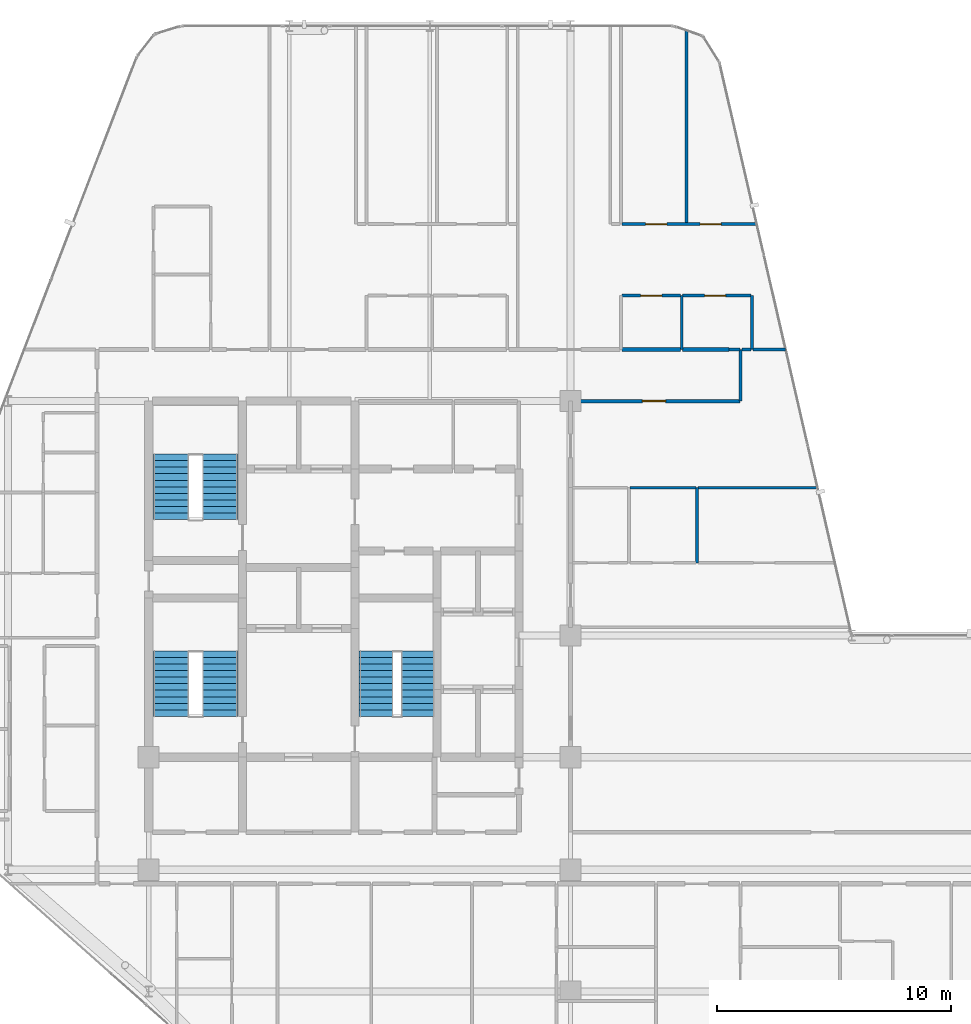
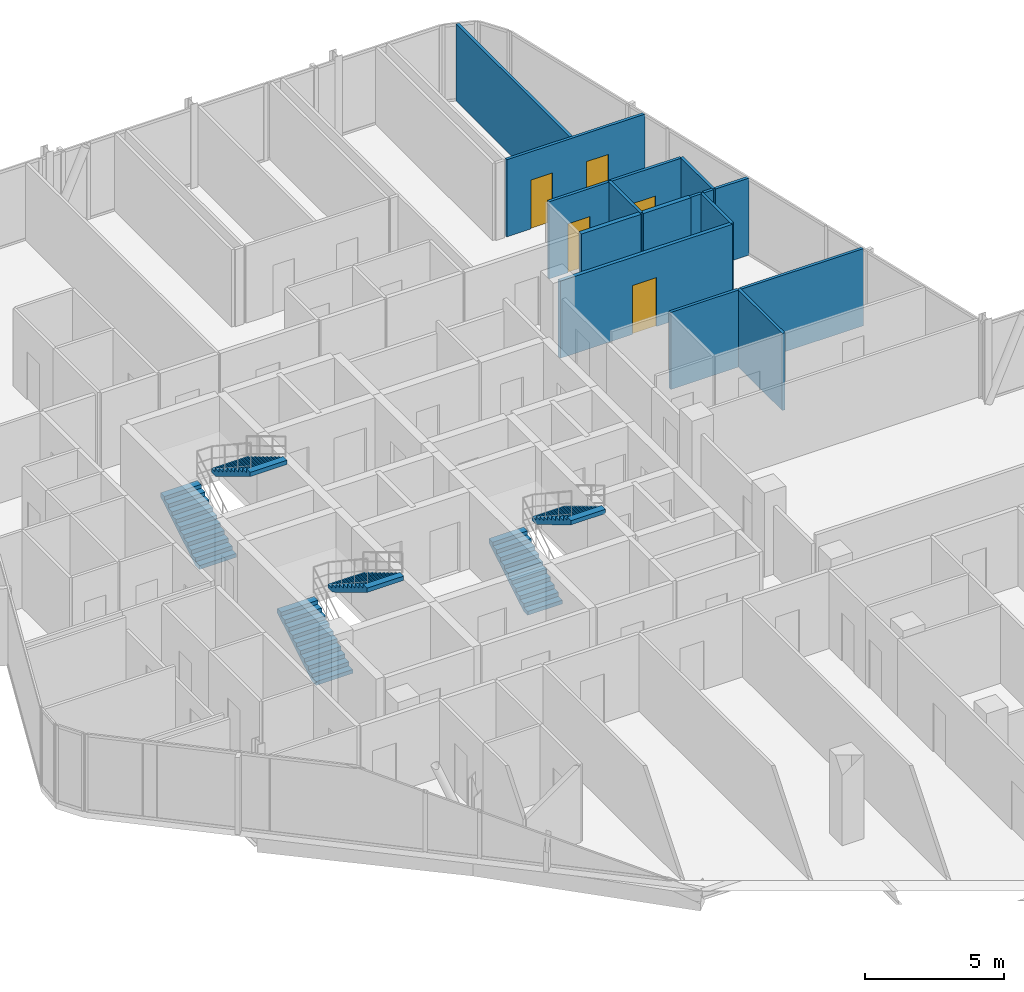
# One storey, part 28 of 29: 16 walls, 6 stair flights, 5 doors, 5 openings, 3 elements without a shape of their own.
"""IFC4 building model written with IfcOpenShell, lengths in metres."""

from ifc_helpers import new_model, si_unit, direction, frame, frame_2d, origin, place, context, subcontext, project, spatial, polyline, rectangle, outline, extrude, material, layer, layer_set, type_object, element, fill, aggregate, save


model = new_model("IFC4")

# Units and contexts
model_context = context("Model", 3, precision=1e-05, world=origin(), true_north=direction((0.0, 1.0)))
body_context = subcontext(model_context, "Body", "Model", "MODEL_VIEW")
ifc_project = project(units=[si_unit("LENGTHUNIT", "METRE"), si_unit("AREAUNIT", "SQUARE_METRE"), si_unit("VOLUMEUNIT", "CUBIC_METRE"), si_unit("PLANEANGLEUNIT", "RADIAN"), si_unit("MASSUNIT", "GRAM", prefix="KILO")], contexts=[model_context])

# Site, building, storey
site_placement = place(None, origin())
site = spatial("IfcSite", under=ifc_project, at=site_placement, CompositionType="ELEMENT")
building_placement = place(site_placement, origin())
building = spatial("IfcBuilding", under=site, at=building_placement, Name="Keshet Zoharim Tower", CompositionType="ELEMENT")
storey_placement = place(building_placement, frame((0.0, 0.0, 195.800048828125)))
storey = spatial("IfcBuildingStorey", under=building, at=storey_placement, Name="L48", CompositionType="ELEMENT", Elevation=195.800048828125)

# Wall, opening, door
ifc_material_1 = material(Name="Gypsum Plasterboard", Category="gypsum")
ifc_layer_1 = layer(ifc_material_1, 0.14990234375)
ifc_layer_set_1 = layer_set([ifc_layer_1], Name="Gypsum Plasterboard")
wall_type_1 = type_object("IfcWallType", Name="WL-CLIN-150", PredefinedType="STANDARD", material=ifc_layer_set_1)
wall_1_placement = place(storey_placement, frame((33.06005859375, 37.89990234375, 0.0), z_axis=(0.0, 0.0, 1.0), x_axis=(1.0, 0.0, 0.0)))
wall_1 = element("IfcWall", 1, at=wall_1_placement, inside=storey, type_object=wall_type_1, Name="L48 Interior Wall 181", PredefinedType="STANDARD", context=body_context, shape_type="SweptSolid", body=[
    extrude(rectangle(XDim=7.1640625, YDim=0.14990234375, at=frame_2d((3.58203125, 0.0))), origin(), (0.0, 0.0, 1.0), 3.389892578125),
])
opening_1_placement = place(wall_1_placement, frame((3.00390625, 0.0, 0.0)))
opening_1 = element("IfcOpeningElement", 2, at=opening_1_placement, cuts=wall_1, Name="Opening D-F310", PredefinedType="OPENING", context=body_context, shape_type="SweptSolid", body=[
    extrude(rectangle(XDim=1.0, YDim=2.14990234375, at=frame_2d((0.5, 1.074951171875))), frame((0.0, 0.0849609375, 0.0), z_axis=(0.0, -1.0, 0.0), x_axis=(1.0, 0.0, 0.0)), (0.0, 0.0, 1.0), 0.169921875),
])
ifc_material_2 = material(Name="Hardwood Timber", Category="wood")
door_type_1 = type_object("IfcDoorType", Name="DR-FD30-100", OperationType="NOTDEFINED", PredefinedType="DOOR", material=ifc_material_2)
door_1_placement = place(opening_1_placement, origin())
door_1 = element("IfcDoor", 3, at=door_1_placement, inside=storey, type_object=door_type_1, Name="L48 North West Residents Services Suite Door 1", OperationType="SINGLE_SWING_RIGHT", OverallHeight=2.14990234375, OverallWidth=1.0, PredefinedType="DOOR", context=body_context, shape_type="SweptSolid", body=[
    extrude(rectangle(XDim=1.0, YDim=2.14990234375, at=frame_2d((0.5, 1.074951171875))), frame((0.0, 0.02490234375, 0.0), z_axis=(0.0, -1.0, 0.0), x_axis=(1.0, 0.0, 0.0)), (0.0, 0.0, 1.0), 0.050048828125),
])
fill(opening_1, door_1)

# Walls
ifc_layer_2 = layer(ifc_material_1, 0.179931640625)
ifc_layer_set_2 = layer_set([ifc_layer_2], Name="Gypsum Plasterboard")
wall_type_2 = type_object("IfcWallType", Name="WL-CORR-180", PredefinedType="STANDARD", material=ifc_layer_set_2)
wall_2_placement = place(storey_placement, frame((35.205078125, 40.10009765625, 0.0), z_axis=(0.0, 0.0, 1.0), x_axis=(1.0, 0.0, 0.0)))
element("IfcWall", 4, at=wall_2_placement, inside=storey, type_object=wall_type_2, Name="L48 Interior Wall 190", PredefinedType="STANDARD", context=body_context, shape_type="SweptSolid", body=[
    extrude(rectangle(XDim=2.48193359375, YDim=0.179931640625, at=frame_2d((1.240966796875, 0.0))), origin(), (0.0, 0.0, 1.0), 3.389892578125),
])
wall_3_placement = place(storey_placement, frame((37.777099609375, 40.10009765625, 0.0), z_axis=(0.0, 0.0, 1.0), x_axis=(1.0, 0.0, 0.0)))
element("IfcWall", 5, at=wall_3_placement, inside=storey, type_object=wall_type_2, Name="L48 Interior Wall 191", PredefinedType="STANDARD", context=body_context, shape_type="SweptSolid", body=[
    extrude(rectangle(XDim=1.98583984375, YDim=0.179931640625, at=frame_2d((0.992919921875, 0.0))), origin(), (0.0, 0.0, 1.0), 3.389892578125),
])
ifc_layer_3 = layer(ifc_material_1, 0.1201171875)
ifc_layer_set_3 = layer_set([ifc_layer_3], Name="Gypsum Plasterboard")
wall_type_3 = type_object("IfcWallType", Name="WL-PART-120", PredefinedType="PARTITIONING", material=ifc_layer_set_3)
wall_4_placement = place(storey_placement, frame((37.949951171875, 45.449951171875, 0.0), z_axis=(0.0, 0.0, 1.0), x_axis=(0.0, 1.0, 0.0)))
element("IfcWall", 6, at=wall_4_placement, inside=storey, type_object=wall_type_3, Name="L48 Interior Wall 085", PredefinedType="PARTITIONING", context=body_context, shape_type="SweptSolid", body=[
    extrude(rectangle(XDim=8.2509765625, YDim=0.1201171875, at=frame_2d((4.12548828125, 0.0))), origin(), (0.0, 0.0, 1.0), 3.389892578125),
])
wall_5_placement = place(storey_placement, frame((40.25, 37.89990234375, 0.0), z_axis=(0.0, 0.0, 1.0), x_axis=(0.0, 1.0, 0.0)))
element("IfcWall", 7, at=wall_5_placement, inside=storey, type_object=wall_type_3, Name="L48 Interior Wall 090", PredefinedType="PARTITIONING", context=body_context, shape_type="SweptSolid", body=[
    extrude(rectangle(XDim=2.2001953125, YDim=0.1201171875, at=frame_2d((1.10009765625, 0.0))), origin(), (0.0, 0.0, 1.0), 3.389892578125),
])
wall_6_placement = place(storey_placement, frame((38.445068359375, 34.199951171875, 0.0), z_axis=(0.0, 0.0, 1.0), x_axis=(1.0, 0.0, 0.0)))
element("IfcWall", 8, at=wall_6_placement, inside=storey, type_object=wall_type_3, Name="L48 Interior Wall 171", PredefinedType="PARTITIONING", context=body_context, shape_type="SweptSolid", body=[
    extrude(rectangle(XDim=5.0908203125, YDim=0.1201171875, at=frame_2d((2.54541015625, 0.0))), origin(), (0.0, 0.0, 1.0), 3.389892578125),
])
wall_7_placement = place(storey_placement, frame((40.797119140625, 40.10009765625, 0.0), z_axis=(0.0, 0.0, 1.0), x_axis=(1.0, 0.0, 0.0)))
element("IfcWall", 9, at=wall_7_placement, inside=storey, type_object=wall_type_3, Name="L48 Interior Wall 194", PredefinedType="PARTITIONING", context=body_context, shape_type="SweptSolid", body=[
    extrude(rectangle(XDim=1.3779296875, YDim=0.1201171875, at=frame_2d((0.68896484375, 0.0))), origin(), (0.0, 0.0, 1.0), 3.389892578125),
])

# Wall, opening, door
wall_8_placement = place(storey_placement, frame((35.205078125, 42.39990234375, 0.0), z_axis=(0.0, 0.0, 1.0), x_axis=(1.0, 0.0, 0.0)))
wall_8 = element("IfcWall", 10, at=wall_8_placement, inside=storey, type_object=wall_type_3, Name="L48 Interior Wall 197", PredefinedType="PARTITIONING", context=body_context, shape_type="SweptSolid", body=[
    extrude(rectangle(XDim=2.48193359375, YDim=0.1201171875, at=frame_2d((1.240966796875, 0.0))), origin(), (0.0, 0.0, 1.0), 3.389892578125),
])
opening_2_placement = place(wall_8_placement, frame((0.791015625, 0.0, 0.0)))
opening_2 = element("IfcOpeningElement", 11, at=opening_2_placement, cuts=wall_8, Name="Opening D-IN90", PredefinedType="OPENING", context=body_context, shape_type="SweptSolid", body=[
    extrude(rectangle(XDim=0.89990234375, YDim=2.14990234375, at=frame_2d((0.449951171875, 1.074951171875))), frame((0.0, 0.070068359375, 0.0), z_axis=(0.0, -1.0, 0.0), x_axis=(1.0, 0.0, 0.0)), (0.0, 0.0, 1.0), 0.14013671875),
])
door_type_2 = type_object("IfcDoorType", Name="DR-INT-090", OperationType="NOTDEFINED", PredefinedType="DOOR", material=ifc_material_2)
door_2_placement = place(opening_2_placement, origin())
door_2 = element("IfcDoor", 12, at=door_2_placement, inside=storey, type_object=door_type_2, Name="Apartment 4807 Kitchen Door", OperationType="SINGLE_SWING_RIGHT", OverallHeight=2.14990234375, OverallWidth=0.89990234375, PredefinedType="DOOR", context=body_context, shape_type="SweptSolid", body=[
    extrude(rectangle(XDim=0.89990234375, YDim=2.14990234375, at=frame_2d((0.449951171875, 1.074951171875))), frame((0.0, 0.02490234375, 0.0), z_axis=(0.0, -1.0, 0.0), x_axis=(1.0, 0.0, 0.0)), (0.0, 0.0, 1.0), 0.050048828125),
])
fill(opening_2, door_2)

# Wall, openings, doors
wall_9_placement = place(storey_placement, frame((35.205078125, 45.449951171875, 0.0), z_axis=(0.0, 0.0, 1.0), x_axis=(1.0, 0.0, 0.0)))
wall_9 = element("IfcWall", 13, at=wall_9_placement, inside=storey, type_object=wall_type_3, Name="L48 Interior Wall 204", PredefinedType="PARTITIONING", context=body_context, shape_type="SweptSolid", body=[
    extrude(rectangle(XDim=5.73486328125, YDim=0.1201171875, at=frame_2d((2.867431640625, 0.0))), origin(), (0.0, 0.0, 1.0), 3.389892578125),
])
opening_3_placement = place(wall_9_placement, frame((1.00390625, 0.0, 0.0)))
opening_3 = element("IfcOpeningElement", 14, at=opening_3_placement, cuts=wall_9, Name="Opening D-IN90", PredefinedType="OPENING", context=body_context, shape_type="SweptSolid", body=[
    extrude(rectangle(XDim=0.89990234375, YDim=2.14990234375, at=frame_2d((0.449951171875, 1.074951171875))), frame((0.0, 0.070068359375, 0.0), z_axis=(0.0, -1.0, 0.0), x_axis=(1.0, 0.0, 0.0)), (0.0, 0.0, 1.0), 0.14013671875),
])
opening_4_placement = place(wall_9_placement, frame((3.321044921875, 0.0, 0.0)))
opening_4 = element("IfcOpeningElement", 15, at=opening_4_placement, cuts=wall_9, Name="Opening D-IN90", PredefinedType="OPENING", context=body_context, shape_type="SweptSolid", body=[
    extrude(rectangle(XDim=0.89990234375, YDim=2.14990234375, at=frame_2d((0.449951171875, 1.074951171875))), frame((0.0, 0.070068359375, 0.0), z_axis=(0.0, -1.0, 0.0), x_axis=(1.0, 0.0, 0.0)), (0.0, 0.0, 1.0), 0.14013671875),
])
door_3_placement = place(opening_3_placement, origin())
door_3 = element("IfcDoor", 16, at=door_3_placement, inside=storey, type_object=door_type_2, Name="Apartment 4807 Bedroom 1 Door", OperationType="SINGLE_SWING_RIGHT", OverallHeight=2.14990234375, OverallWidth=0.89990234375, PredefinedType="DOOR", context=body_context, shape_type="SweptSolid", body=[
    extrude(rectangle(XDim=0.89990234375, YDim=2.14990234375, at=frame_2d((0.449951171875, 1.074951171875))), frame((0.0, 0.02490234375, 0.0), z_axis=(0.0, -1.0, 0.0), x_axis=(1.0, 0.0, 0.0)), (0.0, 0.0, 1.0), 0.050048828125),
])
fill(opening_3, door_3)
door_4_placement = place(opening_4_placement, origin())
door_4 = element("IfcDoor", 17, at=door_4_placement, inside=storey, type_object=door_type_2, Name="Apartment 4807 Bedroom 2 Door", OperationType="SINGLE_SWING_LEFT", OverallHeight=2.14990234375, OverallWidth=0.89990234375, PredefinedType="DOOR", context=body_context, shape_type="SweptSolid", body=[
    extrude(rectangle(XDim=0.89990234375, YDim=2.14990234375, at=frame_2d((0.449951171875, 1.074951171875))), frame((0.0, 0.02490234375, 0.0), z_axis=(0.0, -1.0, 0.0), x_axis=(1.0, 0.0, 0.0)), (0.0, 0.0, 1.0), 0.050048828125),
])
fill(opening_4, door_4)

# Walls
ifc_layer_4 = layer(ifc_material_1, 0.1201171875)
ifc_layer_set_4 = layer_set([ifc_layer_4], Name="Gypsum Plasterboard")
wall_type_4 = type_object("IfcWallType", Name="WL-WET-120", PredefinedType="PARTITIONING", material=ifc_layer_set_4)
wall_10_placement = place(storey_placement, frame((37.75, 40.10009765625, 0.0), z_axis=(0.0, 0.0, 1.0), x_axis=(0.0, 1.0, 0.0)))
element("IfcWall", 18, at=wall_10_placement, inside=storey, type_object=wall_type_4, Name="L48 Interior Wall 084", PredefinedType="PARTITIONING", context=body_context, shape_type="SweptSolid", body=[
    extrude(rectangle(XDim=2.2998046875, YDim=0.1201171875, at=frame_2d((1.14990234375, 0.0))), origin(), (0.0, 0.0, 1.0), 3.389892578125),
])
wall_11_placement = place(storey_placement, frame((38.39990234375, 30.989990234375, 0.0), z_axis=(0.0, 0.0, 1.0), x_axis=(0.0, 1.0, 0.0)))
element("IfcWall", 19, at=wall_11_placement, inside=storey, type_object=wall_type_4, Name="L48 Interior Wall 086", PredefinedType="PARTITIONING", context=body_context, shape_type="SweptSolid", body=[
    extrude(rectangle(XDim=3.22998046875, YDim=0.1201171875, at=frame_2d((1.614990234375, 0.0))), origin(), (0.0, 0.0, 1.0), 3.389892578125),
])
wall_12_placement = place(storey_placement, frame((40.75, 40.10009765625, 0.0), z_axis=(0.0, 0.0, 1.0), x_axis=(0.0, 1.0, 0.0)))
element("IfcWall", 20, at=wall_12_placement, inside=storey, type_object=wall_type_4, Name="L48 Interior Wall 091", PredefinedType="PARTITIONING", context=body_context, shape_type="SweptSolid", body=[
    extrude(rectangle(XDim=2.2998046875, YDim=0.1201171875, at=frame_2d((1.14990234375, 0.0))), origin(), (0.0, 0.0, 1.0), 3.389892578125),
])
wall_13_placement = place(storey_placement, frame((35.529052734375, 34.199951171875, 0.0), z_axis=(0.0, 0.0, 1.0), x_axis=(1.0, 0.0, 0.0)))
element("IfcWall", 21, at=wall_13_placement, inside=storey, type_object=wall_type_4, Name="L48 Interior Wall 170", PredefinedType="PARTITIONING", context=body_context, shape_type="SweptSolid", body=[
    extrude(rectangle(XDim=2.825927734375, YDim=0.1201171875, at=frame_2d((1.4130859375, 0.0))), origin(), (0.0, 0.0, 1.0), 3.389892578125),
])
wall_14_placement = place(storey_placement, frame((39.762939453125, 40.10009765625, 0.0), z_axis=(0.0, 0.0, 1.0), x_axis=(1.0, 0.0, 0.0)))
element("IfcWall", 22, at=wall_14_placement, inside=storey, type_object=wall_type_4, Name="L48 Interior Wall 192", PredefinedType="PARTITIONING", context=body_context, shape_type="SweptSolid", body=[
    extrude(rectangle(XDim=0.462158203125, YDim=0.1201171875, at=frame_2d((0.23095703125, 0.0))), origin(), (0.0, 0.0, 1.0), 3.389892578125),
])
wall_15_placement = place(storey_placement, frame((40.31494140625, 40.10009765625, 0.0), z_axis=(0.0, 0.0, 1.0), x_axis=(1.0, 0.0, 0.0)))
element("IfcWall", 23, at=wall_15_placement, inside=storey, type_object=wall_type_4, Name="L48 Interior Wall 193", PredefinedType="PARTITIONING", context=body_context, shape_type="SweptSolid", body=[
    extrude(rectangle(XDim=0.39208984375, YDim=0.1201171875, at=frame_2d((0.196044921875, 0.0))), origin(), (0.0, 0.0, 1.0), 3.389892578125),
])

# Wall, opening, door
wall_16_placement = place(storey_placement, frame((37.777099609375, 42.39990234375, 0.0), z_axis=(0.0, 0.0, 1.0), x_axis=(1.0, 0.0, 0.0)))
wall_16 = element("IfcWall", 24, at=wall_16_placement, inside=storey, type_object=wall_type_4, Name="L48 Interior Wall 198", PredefinedType="PARTITIONING", context=body_context, shape_type="SweptSolid", body=[
    extrude(rectangle(XDim=2.929931640625, YDim=0.1201171875, at=frame_2d((1.46484375, 0.0))), origin(), (0.0, 0.0, 1.0), 3.389892578125),
])
opening_5_placement = place(wall_16_placement, frame((0.94189453125, 0.0, 0.0)))
opening_5 = element("IfcOpeningElement", 25, at=opening_5_placement, cuts=wall_16, Name="Opening D-WT90", PredefinedType="OPENING", context=body_context, shape_type="SweptSolid", body=[
    extrude(rectangle(XDim=0.89990234375, YDim=2.10009765625, at=frame_2d((0.449951171875, 1.050048828125))), frame((0.0, 0.070068359375, 0.0), z_axis=(0.0, -1.0, 0.0), x_axis=(1.0, 0.0, 0.0)), (0.0, 0.0, 1.0), 0.14013671875),
])
door_type_3 = type_object("IfcDoorType", Name="DR-WET-090", OperationType="NOTDEFINED", PredefinedType="DOOR", material=ifc_material_2)
door_5_placement = place(opening_5_placement, origin())
door_5 = element("IfcDoor", 26, at=door_5_placement, inside=storey, type_object=door_type_3, Name="Apartment 4807 Bathroom Door", OperationType="SINGLE_SWING_LEFT", OverallHeight=2.10009765625, OverallWidth=0.89990234375, PredefinedType="DOOR", context=body_context, shape_type="SweptSolid", body=[
    extrude(rectangle(XDim=0.89990234375, YDim=2.10009765625, at=frame_2d((0.449951171875, 1.050048828125))), frame((0.0, 0.02490234375, 0.0), z_axis=(0.0, -1.0, 0.0), x_axis=(1.0, 0.0, 0.0)), (0.0, 0.0, 1.0), 0.050048828125),
])
fill(opening_5, door_5)

# Stair, stair flights
ifc_material_3 = material(Name="Concrete C50/60", Category="concrete")
stair_type = type_object("IfcStairType", Name="STR-EXIT-135", PredefinedType="HALF_TURN_STAIR", material=ifc_material_3)
stair_1_placement = place(storey_placement, origin())
stair_1 = element("IfcStair", 27, at=stair_1_placement, inside=storey, type_object=stair_type, Name="L48 Enclosed Exit Stair ST-01", PredefinedType="HALF_TURN_STAIR")
stair_flight_type_1 = type_object("IfcStairFlightType", Name="FLT-PRE-135", PredefinedType="STRAIGHT", material=ifc_material_3)
stair_flight_1_placement = place(storey_placement, frame((15.945068359375, 24.43994140625, 0.0), z_axis=(0.0, 0.0, 1.0), x_axis=(0.0, 1.0, 0.0)))
stair_flight_1 = element("IfcStairFlight", 28, at=stair_flight_1_placement, type_object=stair_flight_type_1, Name="ST-01 flight 1", NumberOfRisers=11, NumberOfTreads=10, PredefinedType="STRAIGHT", RiserHeight=0.168182, TreadLength=0.28, context=body_context, shape_type="SweptSolid", body=[
    extrude(outline(polyline([(0.0, 0.0), (0.0, 0.168212890625), (0.280029296875, 0.168212890625), (0.280029296875, 0.33642578125), (0.56005859375, 0.33642578125), (0.56005859375, 0.504638671875), (0.840087890625, 0.504638671875), (0.840087890625, 0.672607421875), (1.1201171875, 0.672607421875), (1.1201171875, 0.8408203125), (1.39990234375, 0.8408203125), (1.39990234375, 1.009033203125), (1.679931640625, 1.009033203125), (1.679931640625, 1.17724609375), (1.9599609375, 1.17724609375), (1.9599609375, 1.345458984375), (2.239990234375, 1.345458984375), (2.239990234375, 1.513671875), (2.52001953125, 1.513671875), (2.52001953125, 1.681884765625), (2.800048828125, 1.681884765625), (2.800048828125, 1.85009765625), (2.800048828125, 1.495361328125), (0.310546875, 0.0), (0.0, 0.0)])), frame((0.0, 0.76513671875, 0.0), z_axis=(0.0, -1.0, 0.0), x_axis=(1.0, 0.0, 0.0)), (0.0, 0.0, 1.0), 1.530029296875),
])
stair_flight_2_placement = place(storey_placement, frame((18.054931640625, 27.239990234375, 1.849853515625), z_axis=(0.0, 0.0, 1.0), x_axis=(0.0, -1.0, 0.0)))
stair_flight_2 = element("IfcStairFlight", 29, at=stair_flight_2_placement, type_object=stair_flight_type_1, Name="ST-01 flight 2", NumberOfRisers=11, NumberOfTreads=10, PredefinedType="STRAIGHT", RiserHeight=0.168182, TreadLength=0.28, context=body_context, shape_type="SweptSolid", body=[
    extrude(outline(polyline([(0.0, 0.0), (0.0, 0.168212890625), (0.280029296875, 0.168212890625), (0.280029296875, 0.33642578125), (0.56005859375, 0.33642578125), (0.56005859375, 0.504638671875), (0.840087890625, 0.504638671875), (0.840087890625, 0.672607421875), (1.1201171875, 0.672607421875), (1.1201171875, 0.8408203125), (1.39990234375, 0.8408203125), (1.39990234375, 1.009033203125), (1.679931640625, 1.009033203125), (1.679931640625, 1.17724609375), (1.9599609375, 1.17724609375), (1.9599609375, 1.345458984375), (2.239990234375, 1.345458984375), (2.239990234375, 1.513671875), (2.52001953125, 1.513671875), (2.52001953125, 1.681884765625), (2.800048828125, 1.681884765625), (2.800048828125, 1.85009765625), (2.800048828125, 1.495361328125), (0.310546875, 0.0), (0.0, 0.0)])), frame((0.0, 0.76513671875, 0.0), z_axis=(0.0, -1.0, 0.0), x_axis=(1.0, 0.0, 0.0)), (0.0, 0.0, 1.0), 1.530029296875),
])
aggregate(stair_1, [stair_flight_1, stair_flight_2])

stair_2_placement = place(storey_placement, origin())
stair_2 = element("IfcStair", 30, at=stair_2_placement, inside=storey, type_object=stair_type, Name="L48 Enclosed Exit Stair ST-02", PredefinedType="HALF_TURN_STAIR")
stair_flight_3_placement = place(storey_placement, frame((15.945068359375, 32.840087890625, 0.0), z_axis=(0.0, 0.0, 1.0), x_axis=(0.0, 1.0, 0.0)))
stair_flight_3 = element("IfcStairFlight", 31, at=stair_flight_3_placement, type_object=stair_flight_type_1, Name="ST-02 flight 1", NumberOfRisers=11, NumberOfTreads=10, PredefinedType="STRAIGHT", RiserHeight=0.168182, TreadLength=0.28, context=body_context, shape_type="SweptSolid", body=[
    extrude(outline(polyline([(0.0, 0.0), (0.0, 0.168212890625), (0.280029296875, 0.168212890625), (0.280029296875, 0.33642578125), (0.56005859375, 0.33642578125), (0.56005859375, 0.504638671875), (0.840087890625, 0.504638671875), (0.840087890625, 0.672607421875), (1.1201171875, 0.672607421875), (1.1201171875, 0.8408203125), (1.39990234375, 0.8408203125), (1.39990234375, 1.009033203125), (1.679931640625, 1.009033203125), (1.679931640625, 1.17724609375), (1.9599609375, 1.17724609375), (1.9599609375, 1.345458984375), (2.239990234375, 1.345458984375), (2.239990234375, 1.513671875), (2.52001953125, 1.513671875), (2.52001953125, 1.681884765625), (2.800048828125, 1.681884765625), (2.800048828125, 1.85009765625), (2.800048828125, 1.495361328125), (0.310546875, 0.0), (0.0, 0.0)])), frame((0.0, 0.76513671875, 0.0), z_axis=(0.0, -1.0, 0.0), x_axis=(1.0, 0.0, 0.0)), (0.0, 0.0, 1.0), 1.530029296875),
])
stair_flight_4_placement = place(storey_placement, frame((18.054931640625, 35.639892578125, 1.849853515625), z_axis=(0.0, 0.0, 1.0), x_axis=(0.0, -1.0, 0.0)))
stair_flight_4 = element("IfcStairFlight", 32, at=stair_flight_4_placement, type_object=stair_flight_type_1, Name="ST-02 flight 2", NumberOfRisers=11, NumberOfTreads=10, PredefinedType="STRAIGHT", RiserHeight=0.168182, TreadLength=0.28, context=body_context, shape_type="SweptSolid", body=[
    extrude(outline(polyline([(0.0, 0.0), (0.0, 0.168212890625), (0.280029296875, 0.168212890625), (0.280029296875, 0.33642578125), (0.56005859375, 0.33642578125), (0.56005859375, 0.504638671875), (0.840087890625, 0.504638671875), (0.840087890625, 0.672607421875), (1.1201171875, 0.672607421875), (1.1201171875, 0.8408203125), (1.39990234375, 0.8408203125), (1.39990234375, 1.009033203125), (1.679931640625, 1.009033203125), (1.679931640625, 1.17724609375), (1.9599609375, 1.17724609375), (1.9599609375, 1.345458984375), (2.239990234375, 1.345458984375), (2.239990234375, 1.513671875), (2.52001953125, 1.513671875), (2.52001953125, 1.681884765625), (2.800048828125, 1.681884765625), (2.800048828125, 1.85009765625), (2.800048828125, 1.495361328125), (0.310546875, 0.0), (0.0, 0.0)])), frame((0.0, 0.76513671875, 0.0), z_axis=(0.0, -1.0, 0.0), x_axis=(1.0, 0.0, 0.0)), (0.0, 0.0, 1.0), 1.530029296875),
])
aggregate(stair_2, [stair_flight_3, stair_flight_4])

stair_3_placement = place(storey_placement, origin())
stair_3 = element("IfcStair", 33, at=stair_3_placement, inside=storey, type_object=stair_type, Name="L48 Enclosed Exit Stair ST-03", PredefinedType="HALF_TURN_STAIR")
stair_flight_type_2 = type_object("IfcStairFlightType", Name="FLT-PRE-144", PredefinedType="STRAIGHT", material=ifc_material_3)
stair_flight_5_placement = place(storey_placement, frame((24.699951171875, 24.43994140625, 0.0), z_axis=(0.0, 0.0, 1.0), x_axis=(0.0, 1.0, 0.0)))
stair_flight_5 = element("IfcStairFlight", 34, at=stair_flight_5_placement, type_object=stair_flight_type_2, Name="ST-03 flight 1", NumberOfRisers=11, NumberOfTreads=10, PredefinedType="STRAIGHT", RiserHeight=0.168182, TreadLength=0.28, context=body_context, shape_type="SweptSolid", body=[
    extrude(outline(polyline([(0.0, 0.0), (0.0, 0.168212890625), (0.280029296875, 0.168212890625), (0.280029296875, 0.33642578125), (0.56005859375, 0.33642578125), (0.56005859375, 0.504638671875), (0.840087890625, 0.504638671875), (0.840087890625, 0.672607421875), (1.1201171875, 0.672607421875), (1.1201171875, 0.8408203125), (1.39990234375, 0.8408203125), (1.39990234375, 1.009033203125), (1.679931640625, 1.009033203125), (1.679931640625, 1.17724609375), (1.9599609375, 1.17724609375), (1.9599609375, 1.345458984375), (2.239990234375, 1.345458984375), (2.239990234375, 1.513671875), (2.52001953125, 1.513671875), (2.52001953125, 1.681884765625), (2.800048828125, 1.681884765625), (2.800048828125, 1.85009765625), (2.800048828125, 1.495361328125), (0.310546875, 0.0), (0.0, 0.0)])), frame((0.0, 0.719970703125, 0.0), z_axis=(0.0, -1.0, 0.0), x_axis=(1.0, 0.0, 0.0)), (0.0, 0.0, 1.0), 1.43994140625),
])
stair_flight_6_placement = place(storey_placement, frame((26.5, 27.239990234375, 1.849853515625), z_axis=(0.0, 0.0, 1.0), x_axis=(0.0, -1.0, 0.0)))
stair_flight_6 = element("IfcStairFlight", 35, at=stair_flight_6_placement, type_object=stair_flight_type_2, Name="ST-03 flight 2", NumberOfRisers=11, NumberOfTreads=10, PredefinedType="STRAIGHT", RiserHeight=0.168182, TreadLength=0.28, context=body_context, shape_type="SweptSolid", body=[
    extrude(outline(polyline([(0.0, 0.0), (0.0, 0.168212890625), (0.280029296875, 0.168212890625), (0.280029296875, 0.33642578125), (0.56005859375, 0.33642578125), (0.56005859375, 0.504638671875), (0.840087890625, 0.504638671875), (0.840087890625, 0.672607421875), (1.1201171875, 0.672607421875), (1.1201171875, 0.8408203125), (1.39990234375, 0.8408203125), (1.39990234375, 1.009033203125), (1.679931640625, 1.009033203125), (1.679931640625, 1.17724609375), (1.9599609375, 1.17724609375), (1.9599609375, 1.345458984375), (2.239990234375, 1.345458984375), (2.239990234375, 1.513671875), (2.52001953125, 1.513671875), (2.52001953125, 1.681884765625), (2.800048828125, 1.681884765625), (2.800048828125, 1.85009765625), (2.800048828125, 1.495361328125), (0.310546875, 0.0), (0.0, 0.0)])), frame((0.0, 0.719970703125, 0.0), z_axis=(0.0, -1.0, 0.0), x_axis=(1.0, 0.0, 0.0)), (0.0, 0.0, 1.0), 1.43994140625),
])
aggregate(stair_3, [stair_flight_5, stair_flight_6])

save(model, "model.ifc")
